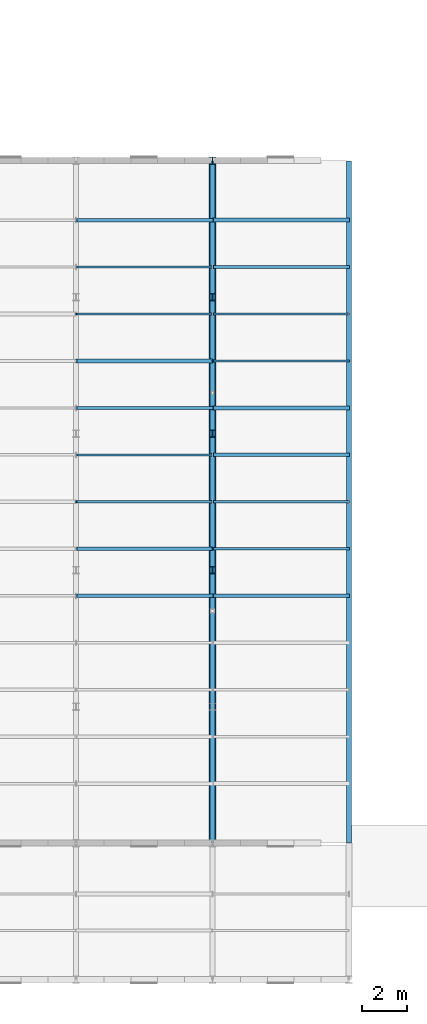
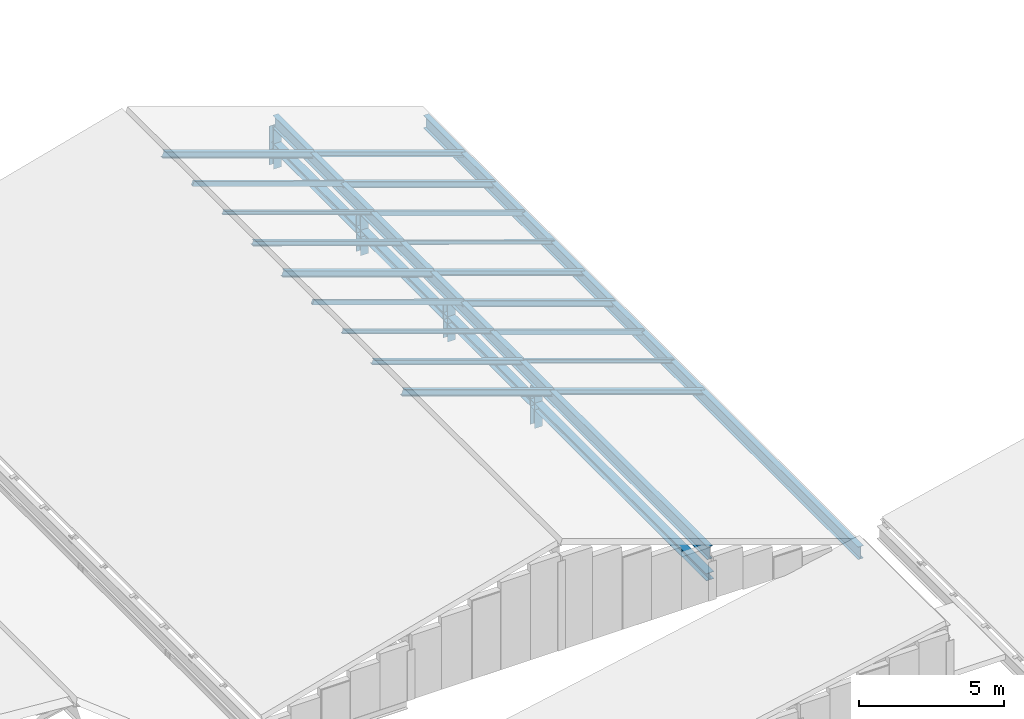
# One storey, part 14 of 74: 23 members, 2 beams.
"""IFC4 building model written with IfcOpenShell, lengths in metres."""

from ifc_helpers import new_model, si_unit, direction, frame, origin, origin_2d, place, context, subcontext, project, spatial, hollow_rectangle, i_section, extrude, material, material_profile, profile_set, type_object, element, save


model = new_model("IFC4")

# Units and contexts
model_context = context("Model", 3, precision=1e-05, world=origin(), true_north=direction((0.0, 1.0)))
body_context = subcontext(model_context, "Body", "Model", "MODEL_VIEW")
ifc_project = project(units=[si_unit("LENGTHUNIT", "METRE"), si_unit("AREAUNIT", "SQUARE_METRE"), si_unit("VOLUMEUNIT", "CUBIC_METRE"), si_unit("PLANEANGLEUNIT", "RADIAN"), si_unit("MASSUNIT", "GRAM", prefix="KILO")], contexts=[model_context])

# Site, building, storey
site_placement = place(None, origin())
site = spatial("IfcSite", under=ifc_project, at=site_placement, CompositionType="ELEMENT")
building_placement = place(site_placement, origin())
building = spatial("IfcBuilding", under=site, at=building_placement, Name="Siltcreek Boulevard Central Fire Station", CompositionType="ELEMENT")
storey_placement = place(building_placement, frame((0.0, 0.0, 25.199951171875)))
storey = spatial("IfcBuildingStorey", under=building, at=storey_placement, Name="RF", CompositionType="ELEMENT", Elevation=25.199951171875)

# Beams
ifc_material_1 = material(Name="Structural steel ASTM A992 Gr50", Category="steel")
ifc_material_profile_1 = material_profile(ifc_material_1, i_section(OverallWidth=0.2109375, OverallDepth=0.5390625, WebThickness=0.01171875, FlangeThickness=0.018798828125, at=origin_2d()), Name="W530X109")
ifc_profile_set_1 = profile_set([ifc_material_profile_1], Name="Structural steel ASTM A992 Gr50")
beam_type = type_object("IfcBeamType", Name="BM_W530X109", PredefinedType="BEAM", material=ifc_profile_set_1)
for number, where, z_axis, x_axis, name in (
    (1, (102.0, 24.010009765625, -9.296142578125), (0.0, 1.0, 0.0), (-1.0, 0.0, 0.0), "Pitched roof rafter beam RFB-025"),
    (2, (108.0, 24.010009765625, -11.396240234375), (0.0, 1.0, 0.0), (-1.0, 0.0, 0.0), "Pitched roof rafter beam RFB-026"),
):
    element("IfcBeam", number, at=place(storey_placement, frame(where, z_axis=z_axis, x_axis=x_axis)), inside=storey, type_object=beam_type, Name=name, PredefinedType="BEAM", context=body_context, shape_type="SweptSolid", body=[
        extrude(i_section(OverallWidth=0.2109375, OverallDepth=0.5390625, WebThickness=0.01171875, FlangeThickness=0.018798828125, at=origin_2d()), origin(), (0.0, 0.0, 1.0), 29.97998046875),
    ])

# Members
ifc_material_profile_2 = material_profile(ifc_material_1, i_section(OverallWidth=0.304931640625, OverallDepth=0.30810546875, WebThickness=0.010009765625, FlangeThickness=0.015380859375, at=origin_2d()), Name="W310X97")
ifc_profile_set_2 = profile_set([ifc_material_profile_2], Name="Structural steel ASTM A992 Gr50")
member_type_1 = type_object("IfcMemberType", Name="CH_W310X97", PredefinedType="CHORD", material=ifc_profile_set_2)
member_placement = place(storey_placement, frame((102.0, 24.010009765625, -10.28564453125), z_axis=(0.0, 1.0, 0.0), x_axis=(-1.0, 0.0, 0.0)))
element("IfcMember", 3, at=member_placement, inside=storey, type_object=member_type_1, Name="Roof truss bottom chord CH-004", PredefinedType="CHORD", context=body_context, shape_type="SweptSolid", body=[
    extrude(i_section(OverallWidth=0.304931640625, OverallDepth=0.30810546875, WebThickness=0.010009765625, FlangeThickness=0.015380859375, at=origin_2d()), origin(), (0.0, 0.0, 1.0), 29.97998046875),
])
for number, where, z_axis, x_axis, name in (
    (4, (102.0, 36.0, -11.199951171875), (0.0, 0.0, 1.0), (1.0, 0.0, 0.0), "Roof bearing truss post 0754"),
    (5, (102.0, 42.0, -11.199951171875), (0.0, 0.0, 1.0), (1.0, 0.0, 0.0), "Roof bearing truss post 0755"),
    (6, (102.0, 48.0, -11.199951171875), (0.0, 0.0, 1.0), (1.0, 0.0, 0.0), "Roof bearing truss post 0756"),
    (7, (102.0, 54.0, -11.199951171875), (0.0, 0.0, 1.0), (1.0, 0.0, 0.0), "Roof bearing truss post 0757"),
):
    element("IfcMember", number, at=place(storey_placement, frame(where, z_axis=z_axis, x_axis=x_axis)), inside=storey, type_object=member_type_1, Name=name, PredefinedType="CHORD", context=body_context, shape_type="SweptSolid", body=[
        extrude(i_section(OverallWidth=0.304931640625, OverallDepth=0.30810546875, WebThickness=0.010009765625, FlangeThickness=0.015380859375, at=origin_2d()), origin(), (0.0, 0.0, 1.0), 1.63818359375),
    ])
ifc_material_2 = material(Name="Structural steel ASTM A500 GrC", Category="steel")
ifc_material_profile_3 = material_profile(ifc_material_2, hollow_rectangle(XDim=0.10009765625, YDim=0.199951171875, WallThickness=0.00634765625, at=origin_2d()), Name="HSS200X100X6.4")
ifc_profile_set_3 = profile_set([ifc_material_profile_3], Name="Structural steel ASTM A500 GrC")
member_type_2 = type_object("IfcMemberType", Name="PR_HSS200X100", PredefinedType="PURLIN", material=ifc_profile_set_3)
for number, where, z_axis, x_axis, name in (
    (8, (96.010009765625, 41.064208984375, -6.98828125), (0.943857154847, 0.0, -0.330353857618), (0.0, 1.0, 0.0), "Sloped roof purlin PR-0147"),
    (9, (96.010009765625, 49.3212890625, -6.98828125), (0.943857154847, 0.0, -0.330353857618), (0.0, 1.0, 0.0), "Sloped roof purlin PR-0151"),
    (10, (102.010009765625, 39.0, -9.08837890625), (0.943869169609, 0.0, -0.330319528125), (0.0, 1.0, 0.0), "Sloped roof purlin PR-0159"),
    (11, (102.010009765625, 47.257080078125, -9.08837890625), (0.943869169609, 0.0, -0.330319528125), (0.0, 1.0, 0.0), "Sloped roof purlin PR-0163"),
):
    element("IfcMember", number, at=place(storey_placement, frame(where, z_axis=z_axis, x_axis=x_axis)), inside=storey, type_object=member_type_2, Name=name, PredefinedType="PURLIN", context=body_context, shape_type="SweptSolid", body=[
        extrude(hollow_rectangle(XDim=0.10009765625, YDim=0.199951171875, WallThickness=0.00634765625, at=origin_2d()), origin(), (0.0, 0.0, 1.0), 6.335693359375),
    ])
ifc_material_profile_4 = material_profile(ifc_material_1, i_section(OverallWidth=0.10205078125, OverallDepth=0.159912109375, WebThickness=0.006591796875, FlangeThickness=0.01025390625, at=origin_2d()), Name="W150X24")
ifc_profile_set_4 = profile_set([ifc_material_profile_4], Name="Structural steel ASTM A992 Gr50")
member_type_3 = type_object("IfcMemberType", Name="PR_W150X24", PredefinedType="PURLIN", material=ifc_profile_set_4)
for number, where, z_axis, x_axis, name in (
    (12, (96.010009765625, 39.0, -6.967041015625), (0.943857154847, 0.0, -0.330353857618), (0.0, 1.0, 0.0), "Sloped roof purlin PR-0146"),
    (13, (96.010009765625, 47.257080078125, -6.967041015625), (0.943857154847, 0.0, -0.330353857618), (0.0, 1.0, 0.0), "Sloped roof purlin PR-0150"),
    (14, (102.010009765625, 36.935791015625, -9.067138671875), (0.943857154847, 0.0, -0.330353857618), (0.0, 1.0, 0.0), "Sloped roof purlin PR-0158"),
    (15, (102.010009765625, 45.19287109375, -9.067138671875), (0.943857154847, 0.0, -0.330353857618), (0.0, 1.0, 0.0), "Sloped roof purlin PR-0162"),
):
    element("IfcMember", number, at=place(storey_placement, frame(where, z_axis=z_axis, x_axis=x_axis)), inside=storey, type_object=member_type_3, Name=name, PredefinedType="PURLIN", context=body_context, shape_type="SweptSolid", body=[
        extrude(i_section(OverallWidth=0.10205078125, OverallDepth=0.159912109375, WebThickness=0.006591796875, FlangeThickness=0.01025390625, at=origin_2d()), origin(), (0.0, 0.0, 1.0), 6.335693359375),
    ])
ifc_material_profile_5 = material_profile(ifc_material_1, i_section(OverallWidth=0.1650390625, OverallDepth=0.200927734375, WebThickness=0.006103515625, FlangeThickness=0.01025390625, at=origin_2d()), Name="W200X36")
ifc_profile_set_5 = profile_set([ifc_material_profile_5], Name="Structural steel ASTM A992 Gr50")
member_type_4 = type_object("IfcMemberType", Name="PR_W200X36", PredefinedType="PURLIN", material=ifc_profile_set_5)
for number, where, z_axis, x_axis, name in (
    (16, (96.010009765625, 36.935791015625, -6.98876953125), (0.943857154847, 0.0, -0.330353857618), (0.0, 1.0, 0.0), "Sloped roof purlin PR-0145"),
    (17, (96.010009765625, 45.19287109375, -6.98876953125), (0.943857154847, 0.0, -0.330353857618), (0.0, 1.0, 0.0), "Sloped roof purlin PR-0149"),
    (18, (102.010009765625, 34.871337890625, -9.0888671875), (0.943857154847, 0.0, -0.330353857618), (0.0, 1.0, 0.0), "Sloped roof purlin PR-0157"),
    (19, (102.010009765625, 43.128662109375, -9.0888671875), (0.943857154847, 0.0, -0.330353857618), (0.0, 1.0, 0.0), "Sloped roof purlin PR-0161"),
    (20, (102.010009765625, 51.3857421875, -9.0888671875), (0.943857154847, 0.0, -0.330353857618), (0.0, 1.0, 0.0), "Sloped roof purlin PR-0165"),
):
    element("IfcMember", number, at=place(storey_placement, frame(where, z_axis=z_axis, x_axis=x_axis)), inside=storey, type_object=member_type_4, Name=name, PredefinedType="PURLIN", context=body_context, shape_type="SweptSolid", body=[
        extrude(i_section(OverallWidth=0.1650390625, OverallDepth=0.200927734375, WebThickness=0.006103515625, FlangeThickness=0.01025390625, at=origin_2d()), origin(), (0.0, 0.0, 1.0), 6.335693359375),
    ])
ifc_material_profile_6 = material_profile(ifc_material_1, i_section(OverallWidth=0.14697265625, OverallDepth=0.261962890625, WebThickness=0.006591796875, FlangeThickness=0.01123046875, at=origin_2d()), Name="W250X39")
ifc_profile_set_6 = profile_set([ifc_material_profile_6], Name="Structural steel ASTM A992 Gr50")
member_type_5 = type_object("IfcMemberType", Name="PR_W250X39", PredefinedType="PURLIN", material=ifc_profile_set_6)
for number, where, z_axis, x_axis, name in (
    (21, (96.010009765625, 34.871337890625, -7.02099609375), (0.943857154847, 0.0, -0.330353857618), (0.0, 1.0, 0.0), "Sloped roof purlin PR-0144"),
    (22, (96.010009765625, 43.128662109375, -7.02099609375), (0.943857154847, 0.0, -0.330353857618), (0.0, 1.0, 0.0), "Sloped roof purlin PR-0148"),
    (23, (96.010009765625, 51.3857421875, -7.02099609375), (0.943857154847, 0.0, -0.330353857618), (0.0, 1.0, 0.0), "Sloped roof purlin PR-0152"),
    (24, (102.010009765625, 41.064208984375, -9.12109375), (0.943857154847, 0.0, -0.330353857618), (0.0, 1.0, 0.0), "Sloped roof purlin PR-0160"),
    (25, (102.010009765625, 49.3212890625, -9.12109375), (0.943857154847, 0.0, -0.330353857618), (0.0, 1.0, 0.0), "Sloped roof purlin PR-0164"),
):
    element("IfcMember", number, at=place(storey_placement, frame(where, z_axis=z_axis, x_axis=x_axis)), inside=storey, type_object=member_type_5, Name=name, PredefinedType="PURLIN", context=body_context, shape_type="SweptSolid", body=[
        extrude(i_section(OverallWidth=0.14697265625, OverallDepth=0.261962890625, WebThickness=0.006591796875, FlangeThickness=0.01123046875, at=origin_2d()), origin(), (0.0, 0.0, 1.0), 6.335693359375),
    ])

save(model, "model.ifc")
